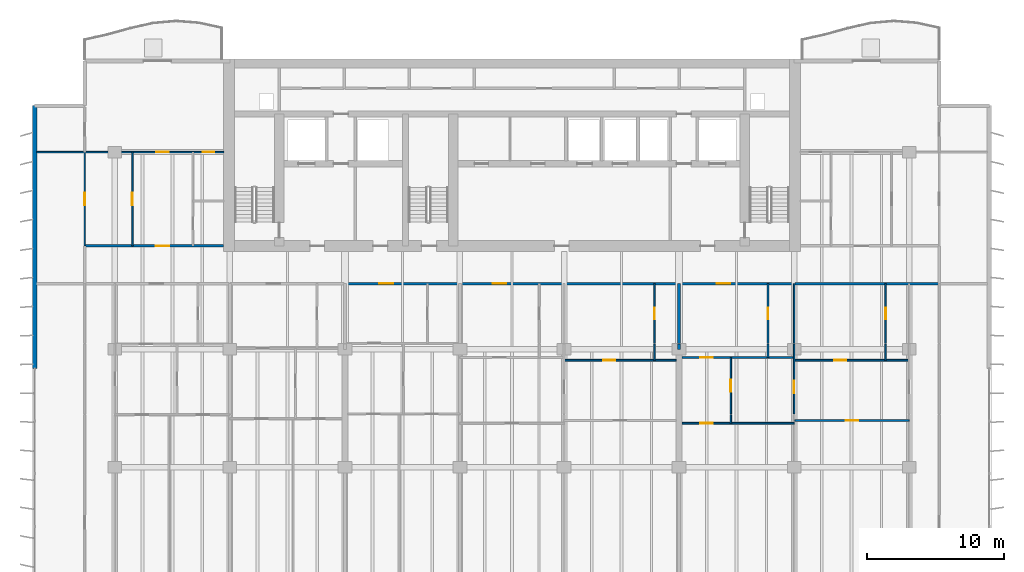
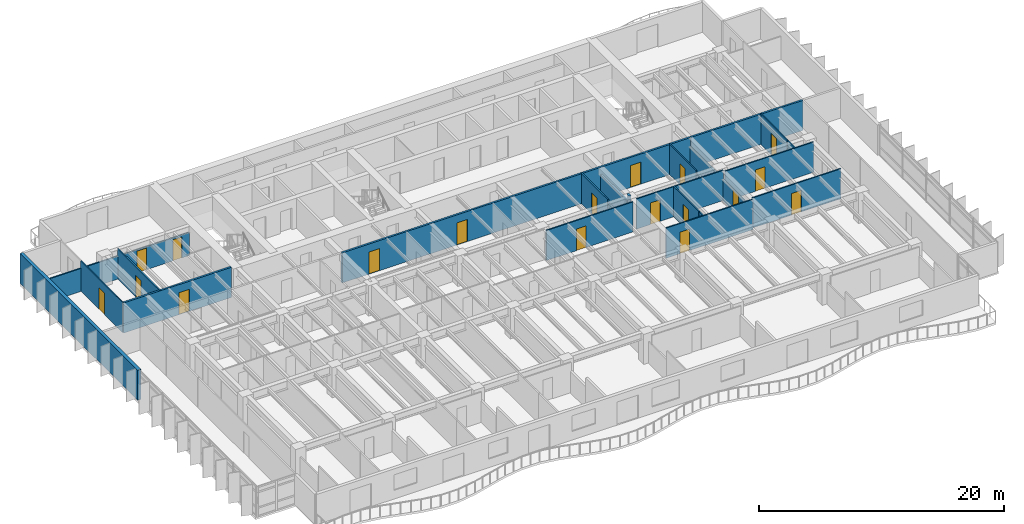
# One storey, part 9 of 16: 24 walls, 18 doors, 18 openings.
"""IFC4 building model written with IfcOpenShell, lengths in metres."""

from ifc_helpers import new_model, si_unit, direction, frame, frame_2d, origin, place, context, subcontext, project, spatial, rectangle, extrude, material, layer, layer_set, type_object, element, fill, save


model = new_model("IFC4")

# Units and contexts
model_context = context("Model", 3, precision=1e-05, world=origin(), true_north=direction((0.0, 1.0)))
body_context = subcontext(model_context, "Body", "Model", "MODEL_VIEW")
ifc_project = project(units=[si_unit("LENGTHUNIT", "METRE"), si_unit("AREAUNIT", "SQUARE_METRE"), si_unit("VOLUMEUNIT", "CUBIC_METRE"), si_unit("PLANEANGLEUNIT", "RADIAN"), si_unit("MASSUNIT", "GRAM", prefix="KILO")], contexts=[model_context])

# Site, building, storey
site_placement = place(None, origin())
site = spatial("IfcSite", under=ifc_project, at=site_placement, CompositionType="ELEMENT")
building_placement = place(site_placement, origin())
building = spatial("IfcBuilding", under=site, at=building_placement, Name="Caelmar Bay Residences", CompositionType="ELEMENT")
storey_placement = place(building_placement, frame((0.0, 0.0, 148.800048828125)))
storey = spatial("IfcBuildingStorey", under=building, at=storey_placement, Name="L41", CompositionType="ELEMENT", Elevation=148.800048828125)

# Wall, openings, doors
ifc_material_1 = material(Name="Double-stud acoustic fire-rated gypsum partition 180 mm")
ifc_layer_1 = layer(ifc_material_1, 0.179931640625)
ifc_layer_set_1 = layer_set([ifc_layer_1], Name="Double-stud acoustic fire-rated gypsum partition 180 mm")
wall_type_1 = type_object("IfcWallType", Name="W-COR-200", PredefinedType="PARTITIONING", material=ifc_layer_set_1)
wall_1_placement = place(storey_placement, frame((26.699951171875, 34.199951171875, 0.0), z_axis=(0.0, 0.0, 1.0), x_axis=(1.0, 0.0, 0.0)))
wall_1 = element("IfcWall", 1, at=wall_1_placement, inside=storey, type_object=wall_type_1, Name="L41 Partition Wall H112", PredefinedType="PARTITIONING", context=body_context, shape_type="SweptSolid", body=[
    extrude(rectangle(XDim=32.800048828125, YDim=0.179931640625, at=frame_2d((16.39990234375, 0.0))), origin(), (0.0, 0.0, 1.0), 3.0),
])
opening_1_placement = place(wall_1_placement, frame((2.51904296875, 0.0, 0.0)))
opening_1 = element("IfcOpeningElement", 2, at=opening_1_placement, cuts=wall_1, Name="Opening D-L41-139", PredefinedType="OPENING", context=body_context, shape_type="SweptSolid", body=[
    extrude(rectangle(XDim=1.0, YDim=2.199951171875, at=frame_2d((0.5, 1.10009765625))), frame((0.0, 0.099853515625, 0.0), z_axis=(0.0, -1.0, 0.0), x_axis=(1.0, 0.0, 0.0)), (0.0, 0.0, 1.0), 0.199951171875),
])
opening_2_placement = place(wall_1_placement, frame((10.79248046875, 0.0, 0.0)))
opening_2 = element("IfcOpeningElement", 3, at=opening_2_placement, cuts=wall_1, Name="Opening D-L41-146", PredefinedType="OPENING", context=body_context, shape_type="SweptSolid", body=[
    extrude(rectangle(XDim=1.0, YDim=2.199951171875, at=frame_2d((0.5, 1.10009765625))), frame((0.0, 0.099853515625, 0.0), z_axis=(0.0, -1.0, 0.0), x_axis=(1.0, 0.0, 0.0)), (0.0, 0.0, 1.0), 0.199951171875),
])
opening_3_placement = place(wall_1_placement, frame((27.146484375, 0.0, 0.0)))
opening_3 = element("IfcOpeningElement", 4, at=opening_3_placement, cuts=wall_1, Name="Opening D-L41-155", PredefinedType="OPENING", context=body_context, shape_type="SweptSolid", body=[
    extrude(rectangle(XDim=1.0, YDim=2.199951171875, at=frame_2d((0.5, 1.10009765625))), frame((0.0, 0.099853515625, 0.0), z_axis=(0.0, -1.0, 0.0), x_axis=(1.0, 0.0, 0.0)), (0.0, 0.0, 1.0), 0.199951171875),
])
ifc_material_2 = material(Name="Fire-rated steel and walnut architectural door assembly", Category="steel")
ifc_layer_2 = layer(ifc_material_2, 0.050048828125)
ifc_layer_set_2 = layer_set([ifc_layer_2], Name="Fire-rated steel and walnut architectural door assembly")
door_type_1 = type_object("IfcDoorType", Name="D-UNIT-1000", OperationType="NOTDEFINED", PredefinedType="DOOR", material=ifc_layer_set_2)
door_1_placement = place(opening_1_placement, origin())
door_1 = element("IfcDoor", 5, at=door_1_placement, inside=storey, type_object=door_type_1, Name="L41 Residence 03 Apartment Hall Door", OperationType="SINGLE_SWING_RIGHT", OverallHeight=2.199951171875, OverallWidth=1.0, PredefinedType="DOOR", context=body_context, shape_type="SweptSolid", body=[
    extrude(rectangle(XDim=1.0, YDim=2.199951171875, at=frame_2d((0.5, 1.10009765625))), frame((0.0, 0.02490234375, 0.0), z_axis=(0.0, -1.0, 0.0), x_axis=(1.0, 0.0, 0.0)), (0.0, 0.0, 1.0), 0.050048828125),
])
fill(opening_1, door_1)
door_2_placement = place(opening_2_placement, origin())
door_2 = element("IfcDoor", 6, at=door_2_placement, inside=storey, type_object=door_type_1, Name="L41 Residence 04 Apartment Hall Door", OperationType="SINGLE_SWING_LEFT", OverallHeight=2.199951171875, OverallWidth=1.0, PredefinedType="DOOR", context=body_context, shape_type="SweptSolid", body=[
    extrude(rectangle(XDim=1.0, YDim=2.199951171875, at=frame_2d((0.5, 1.10009765625))), frame((0.0, 0.02490234375, 0.0), z_axis=(0.0, -1.0, 0.0), x_axis=(1.0, 0.0, 0.0)), (0.0, 0.0, 1.0), 0.050048828125),
])
fill(opening_2, door_2)
door_3_placement = place(opening_3_placement, origin())
door_3 = element("IfcDoor", 7, at=door_3_placement, inside=storey, type_object=door_type_1, Name="L41 Residence 05 Apartment Hall Door", OperationType="SINGLE_SWING_RIGHT", OverallHeight=2.199951171875, OverallWidth=1.0, PredefinedType="DOOR", context=body_context, shape_type="SweptSolid", body=[
    extrude(rectangle(XDim=1.0, YDim=2.199951171875, at=frame_2d((0.5, 1.10009765625))), frame((0.0, 0.02490234375, 0.0), z_axis=(0.0, -1.0, 0.0), x_axis=(1.0, 0.0, 0.0)), (0.0, 0.0, 1.0), 0.050048828125),
])
fill(opening_3, door_3)

# Wall
wall_2_placement = place(storey_placement, frame((59.550048828125, 34.199951171875, 0.0), z_axis=(0.0, 0.0, 1.0), x_axis=(1.0, 0.0, 0.0)))
element("IfcWall", 8, at=wall_2_placement, inside=storey, type_object=wall_type_1, Name="L41 Partition Wall H113", PredefinedType="PARTITIONING", context=body_context, shape_type="SweptSolid", body=[
    extrude(rectangle(XDim=10.550048828125, YDim=0.179931640625, at=frame_2d((5.27490234375, 0.0))), origin(), (0.0, 0.0, 1.0), 3.0),
])

# Wall, opening, door
wall_3_placement = place(storey_placement, frame((7.699951171875, 36.949951171875, 0.0), z_axis=(0.0, 0.0, 1.0), x_axis=(1.0, 0.0, 0.0)))
wall_3 = element("IfcWall", 9, at=wall_3_placement, inside=storey, type_object=wall_type_1, Name="L41 Partition Wall H115", PredefinedType="PARTITIONING", context=body_context, shape_type="SweptSolid", body=[
    extrude(rectangle(XDim=10.14501953125, YDim=0.179931640625, at=frame_2d((5.072509765625, 0.0))), origin(), (0.0, 0.0, 1.0), 3.0),
])
opening_4_placement = place(wall_3_placement, frame((5.18798828125, 0.0, 0.0)))
opening_4 = element("IfcOpeningElement", 10, at=opening_4_placement, cuts=wall_3, Name="Opening D-L41-169", PredefinedType="OPENING", context=body_context, shape_type="SweptSolid", body=[
    extrude(rectangle(XDim=1.0, YDim=2.199951171875, at=frame_2d((0.5, 1.10009765625))), frame((0.0, 0.099853515625, 0.0), z_axis=(0.0, -1.0, 0.0), x_axis=(1.0, 0.0, 0.0)), (0.0, 0.0, 1.0), 0.199951171875),
])
door_4_placement = place(opening_4_placement, origin())
door_4 = element("IfcDoor", 11, at=door_4_placement, inside=storey, type_object=door_type_1, Name="L41 Residence WA Kitchen Door", OperationType="SINGLE_SWING_RIGHT", OverallHeight=2.199951171875, OverallWidth=1.0, PredefinedType="DOOR", context=body_context, shape_type="SweptSolid", body=[
    extrude(rectangle(XDim=1.0, YDim=2.199951171875, at=frame_2d((0.5, 1.10009765625))), frame((0.0, 0.02490234375, 0.0), z_axis=(0.0, -1.0, 0.0), x_axis=(1.0, 0.0, 0.0)), (0.0, 0.0, 1.0), 0.050048828125),
])
fill(opening_4, door_4)

# Wall
ifc_material_3 = material(Name="Precast concrete f'c 40 MPa (6,000 psi)", Category="concrete")
ifc_layer_3 = layer(ifc_material_3, 0.300048828125)
ifc_layer_set_3 = layer_set([ifc_layer_3], Name="Precast concrete f'c 40 MPa (6,000 psi)")
wall_type_2 = type_object("IfcWallType", Name="W-EXT-300", PredefinedType="STANDARD", material=ifc_layer_set_3)
wall_4_placement = place(storey_placement, frame((4.050048828125, 28.0, 0.0), z_axis=(0.0, 0.0, 1.0), x_axis=(0.0, 1.0, 0.0)))
element("IfcWall", 12, at=wall_4_placement, inside=storey, type_object=wall_type_2, Name="L41 West Rear Exterior Wall", PredefinedType="STANDARD", context=body_context, shape_type="SweptSolid", body=[
    extrude(rectangle(XDim=19.199951171875, YDim=0.300048828125, at=frame_2d((9.60009765625, 0.0))), origin(), (0.0, 0.0, 1.0), 3.0),
])

# Wall, opening, door
ifc_material_4 = material(Name="Anodised bronze framed acoustic sliding study partition 100 mm")
ifc_layer_4 = layer(ifc_material_4, 0.10009765625)
ifc_layer_set_4 = layer_set([ifc_layer_4], Name="Anodised bronze framed acoustic sliding study partition 100 mm")
wall_type_3 = type_object("IfcWallType", Name="W-MOV-100", PredefinedType="MOVABLE", material=ifc_layer_set_4)
wall_5_placement = place(storey_placement, frame((7.699951171875, 36.955078125, 0.0), z_axis=(0.0, 0.0, 1.0), x_axis=(0.0, 1.0, 0.0)))
wall_5 = element("IfcWall", 13, at=wall_5_placement, inside=storey, type_object=wall_type_3, Name="L41 Partition Wall V005", PredefinedType="MOVABLE", context=body_context, shape_type="SweptSolid", body=[
    extrude(rectangle(XDim=6.844970703125, YDim=0.10009765625, at=frame_2d((3.42236328125, 0.0))), origin(), (0.0, 0.0, 1.0), 3.0),
])
opening_5_placement = place(wall_5_placement, frame((2.972412109375, 0.0, 0.0)))
opening_5 = element("IfcOpeningElement", 14, at=opening_5_placement, cuts=wall_5, Name="Opening D-L41-173", PredefinedType="OPENING", context=body_context, shape_type="SweptSolid", body=[
    extrude(rectangle(XDim=0.89990234375, YDim=2.14990234375, at=frame_2d((0.449951171875, 1.074951171875))), frame((0.0, 0.06005859375, 0.0), z_axis=(0.0, -1.0, 0.0), x_axis=(1.0, 0.0, 0.0)), (0.0, 0.0, 1.0), 0.1201171875),
])
ifc_material_5 = material(Name="Solid walnut timber interior door leaf and frame", Category="wood")
ifc_layer_5 = layer(ifc_material_5, 0.050048828125)
ifc_layer_set_5 = layer_set([ifc_layer_5], Name="Solid walnut timber interior door leaf and frame")
door_type_2 = type_object("IfcDoorType", Name="D-ROOM-900", OperationType="NOTDEFINED", PredefinedType="DOOR", material=ifc_layer_set_5)
door_5_placement = place(opening_5_placement, origin())
door_5 = element("IfcDoor", 15, at=door_5_placement, inside=storey, type_object=door_type_2, Name="L41 Residence WA Sun Study Door", OperationType="SINGLE_SWING_RIGHT", OverallHeight=2.14990234375, OverallWidth=0.89990234375, PredefinedType="DOOR", context=body_context, shape_type="SweptSolid", body=[
    extrude(rectangle(XDim=0.89990234375, YDim=2.14990234375, at=frame_2d((0.449951171875, 1.074951171875))), frame((0.0, 0.02490234375, 0.0), z_axis=(0.0, -1.0, 0.0), x_axis=(1.0, 0.0, 0.0)), (0.0, 0.0, 1.0), 0.050048828125),
])
fill(opening_5, door_5)

ifc_material_6 = material(Name="Acoustic metal-stud gypsum partition 120 mm")
ifc_layer_6 = layer(ifc_material_6, 0.1201171875)
ifc_layer_set_6 = layer_set([ifc_layer_6], Name="Acoustic metal-stud gypsum partition 120 mm")
wall_type_4 = type_object("IfcWallType", Name="W-PRT-120", PredefinedType="PARTITIONING", material=ifc_layer_set_6)
wall_6_placement = place(storey_placement, frame((11.176025390625, 36.949951171875, 0.0), z_axis=(0.0, 0.0, 1.0), x_axis=(0.0, 1.0, 0.0)))
wall_6 = element("IfcWall", 16, at=wall_6_placement, inside=storey, type_object=wall_type_4, Name="L41 Partition Wall V011", PredefinedType="PARTITIONING", context=body_context, shape_type="SweptSolid", body=[
    extrude(rectangle(XDim=6.85009765625, YDim=0.1201171875, at=frame_2d((3.425048828125, 0.0))), origin(), (0.0, 0.0, 1.0), 3.0),
])
opening_6_placement = place(wall_6_placement, frame((2.97509765625, 0.0, 0.0)))
opening_6 = element("IfcOpeningElement", 17, at=opening_6_placement, cuts=wall_6, Name="Opening D-L41-168", PredefinedType="OPENING", context=body_context, shape_type="SweptSolid", body=[
    extrude(rectangle(XDim=0.89990234375, YDim=2.14990234375, at=frame_2d((0.449951171875, 1.074951171875))), frame((0.0, 0.070068359375, 0.0), z_axis=(0.0, -1.0, 0.0), x_axis=(1.0, 0.0, 0.0)), (0.0, 0.0, 1.0), 0.14013671875),
])
door_6_placement = place(opening_6_placement, origin())
door_6 = element("IfcDoor", 18, at=door_6_placement, inside=storey, type_object=door_type_2, Name="L41 Residence WA Dining Room Door", OperationType="SINGLE_SWING_LEFT", OverallHeight=2.14990234375, OverallWidth=0.89990234375, PredefinedType="DOOR", context=body_context, shape_type="SweptSolid", body=[
    extrude(rectangle(XDim=0.89990234375, YDim=2.14990234375, at=frame_2d((0.449951171875, 1.074951171875))), frame((0.0, 0.02490234375, 0.0), z_axis=(0.0, -1.0, 0.0), x_axis=(1.0, 0.0, 0.0)), (0.0, 0.0, 1.0), 0.050048828125),
])
fill(opening_6, door_6)

# Wall
wall_7_placement = place(storey_placement, frame((49.2958984375, 28.60009765625, 0.0), z_axis=(0.0, 0.0, 1.0), x_axis=(0.0, 1.0, 0.0)))
element("IfcWall", 19, at=wall_7_placement, inside=storey, type_object=wall_type_4, Name="L41 Partition Wall V057", PredefinedType="PARTITIONING", context=body_context, shape_type="SweptSolid", body=[
    extrude(rectangle(XDim=1.179931640625, YDim=0.1201171875, at=frame_2d((0.58984375, 0.0))), origin(), (0.0, 0.0, 1.0), 2.62890625),
])

# Wall, opening, door
wall_8_placement = place(storey_placement, frame((49.2958984375, 29.840087890625, 0.0), z_axis=(0.0, 0.0, 1.0), x_axis=(0.0, 1.0, 0.0)))
wall_8 = element("IfcWall", 20, at=wall_8_placement, inside=storey, type_object=wall_type_4, Name="L41 Partition Wall V058", PredefinedType="PARTITIONING", context=body_context, shape_type="SweptSolid", body=[
    extrude(rectangle(XDim=4.35986328125, YDim=0.1201171875, at=frame_2d((2.179931640625, 0.0))), origin(), (0.0, 0.0, 1.0), 3.0),
])
opening_7_placement = place(wall_8_placement, frame((1.7548828125, 0.0, 0.0)))
opening_7 = element("IfcOpeningElement", 21, at=opening_7_placement, cuts=wall_8, Name="Opening D-L41-152", PredefinedType="OPENING", context=body_context, shape_type="SweptSolid", body=[
    extrude(rectangle(XDim=0.85009765625, YDim=2.10009765625, at=frame_2d((0.425048828125, 1.050048828125))), frame((0.0, 0.070068359375, 0.0), z_axis=(0.0, -1.0, 0.0), x_axis=(1.0, 0.0, 0.0)), (0.0, 0.0, 1.0), 0.14013671875),
])
ifc_layer_7 = layer(ifc_material_5, 0.050048828125)
ifc_layer_set_7 = layer_set([ifc_layer_7], Name="Solid walnut timber interior door leaf and frame")
door_type_3 = type_object("IfcDoorType", Name="D-BATH-850", OperationType="NOTDEFINED", PredefinedType="DOOR", material=ifc_layer_set_7)
door_7_placement = place(opening_7_placement, origin())
door_7 = element("IfcDoor", 22, at=door_7_placement, inside=storey, type_object=door_type_3, Name="L41 Residence 04 En-Suite Bathroom 1 Door", OperationType="SINGLE_SWING_LEFT", OverallHeight=2.10009765625, OverallWidth=0.85009765625, PredefinedType="DOOR", context=body_context, shape_type="SweptSolid", body=[
    extrude(rectangle(XDim=0.85009765625, YDim=2.10009765625, at=frame_2d((0.425048828125, 1.050048828125))), frame((0.0, 0.02490234375, 0.0), z_axis=(0.0, -1.0, 0.0), x_axis=(1.0, 0.0, 0.0)), (0.0, 0.0, 1.0), 0.050048828125),
])
fill(opening_7, door_7)

# Wall
wall_9_placement = place(storey_placement, frame((54.8798828125, 24.0, 0.0), z_axis=(0.0, 0.0, 1.0), x_axis=(0.0, 1.0, 0.0)))
element("IfcWall", 23, at=wall_9_placement, inside=storey, type_object=wall_type_4, Name="L41 Partition Wall V067", PredefinedType="PARTITIONING", context=body_context, shape_type="SweptSolid", body=[
    extrude(rectangle(XDim=0.6298828125, YDim=0.1201171875, at=frame_2d((0.31494140625, 0.0))), origin(), (0.0, 0.0, 1.0), 3.0),
])

# Wall, opening, door
wall_10_placement = place(storey_placement, frame((54.8798828125, 24.68994140625, 0.0), z_axis=(0.0, 0.0, 1.0), x_axis=(0.0, 1.0, 0.0)))
wall_10 = element("IfcWall", 24, at=wall_10_placement, inside=storey, type_object=wall_type_4, Name="L41 Partition Wall V068", PredefinedType="PARTITIONING", context=body_context, shape_type="SweptSolid", body=[
    extrude(rectangle(XDim=4.110107421875, YDim=0.1201171875, at=frame_2d((2.05517578125, 0.0))), origin(), (0.0, 0.0, 1.0), 3.0),
])
opening_8_placement = place(wall_10_placement, frame((1.60498046875, 0.0, 0.0)))
opening_8 = element("IfcOpeningElement", 25, at=opening_8_placement, cuts=wall_10, Name="Opening D-L41-158", PredefinedType="OPENING", context=body_context, shape_type="SweptSolid", body=[
    extrude(rectangle(XDim=0.89990234375, YDim=2.14990234375, at=frame_2d((0.449951171875, 1.074951171875))), frame((0.0, 0.070068359375, 0.0), z_axis=(0.0, -1.0, 0.0), x_axis=(1.0, 0.0, 0.0)), (0.0, 0.0, 1.0), 0.14013671875),
])
door_8_placement = place(opening_8_placement, origin())
door_8 = element("IfcDoor", 26, at=door_8_placement, inside=storey, type_object=door_type_2, Name="L41 Residence 05 Kitchen Door", OperationType="SINGLE_SWING_LEFT", OverallHeight=2.14990234375, OverallWidth=0.89990234375, PredefinedType="DOOR", context=body_context, shape_type="SweptSolid", body=[
    extrude(rectangle(XDim=0.89990234375, YDim=2.14990234375, at=frame_2d((0.449951171875, 1.074951171875))), frame((0.0, 0.02490234375, 0.0), z_axis=(0.0, -1.0, 0.0), x_axis=(1.0, 0.0, 0.0)), (0.0, 0.0, 1.0), 0.050048828125),
])
fill(opening_8, door_8)

# Wall
wall_11_placement = place(storey_placement, frame((57.593017578125, 28.800048828125, 0.0), z_axis=(0.0, 0.0, 1.0), x_axis=(0.0, 1.0, 0.0)))
element("IfcWall", 27, at=wall_11_placement, inside=storey, type_object=wall_type_4, Name="L41 Partition Wall V070", PredefinedType="PARTITIONING", context=body_context, shape_type="SweptSolid", body=[
    extrude(rectangle(XDim=0.97998046875, YDim=0.1201171875, at=frame_2d((0.489990234375, 0.0))), origin(), (0.0, 0.0, 1.0), 2.62890625),
])

# Wall, opening, door
wall_12_placement = place(storey_placement, frame((57.593017578125, 29.840087890625, 0.0), z_axis=(0.0, 0.0, 1.0), x_axis=(0.0, 1.0, 0.0)))
wall_12 = element("IfcWall", 28, at=wall_12_placement, inside=storey, type_object=wall_type_4, Name="L41 Partition Wall V071", PredefinedType="PARTITIONING", context=body_context, shape_type="SweptSolid", body=[
    extrude(rectangle(XDim=4.35986328125, YDim=0.1201171875, at=frame_2d((2.179931640625, 0.0))), origin(), (0.0, 0.0, 1.0), 3.0),
])
opening_9_placement = place(wall_12_placement, frame((1.7548828125, 0.0, 0.0)))
opening_9 = element("IfcOpeningElement", 29, at=opening_9_placement, cuts=wall_12, Name="Opening D-L41-156", PredefinedType="OPENING", context=body_context, shape_type="SweptSolid", body=[
    extrude(rectangle(XDim=0.85009765625, YDim=2.10009765625, at=frame_2d((0.425048828125, 1.050048828125))), frame((0.0, 0.070068359375, 0.0), z_axis=(0.0, -1.0, 0.0), x_axis=(1.0, 0.0, 0.0)), (0.0, 0.0, 1.0), 0.14013671875),
])
door_9_placement = place(opening_9_placement, origin())
door_9 = element("IfcDoor", 30, at=door_9_placement, inside=storey, type_object=door_type_3, Name="L41 Residence 05 Guest Bathroom Door", OperationType="SINGLE_SWING_LEFT", OverallHeight=2.10009765625, OverallWidth=0.85009765625, PredefinedType="DOOR", context=body_context, shape_type="SweptSolid", body=[
    extrude(rectangle(XDim=0.85009765625, YDim=2.10009765625, at=frame_2d((0.425048828125, 1.050048828125))), frame((0.0, 0.02490234375, 0.0), z_axis=(0.0, -1.0, 0.0), x_axis=(1.0, 0.0, 0.0)), (0.0, 0.0, 1.0), 0.050048828125),
])
fill(opening_9, door_9)

wall_13_placement = place(storey_placement, frame((59.5, 24.68994140625, 0.0), z_axis=(0.0, 0.0, 1.0), x_axis=(0.0, 1.0, 0.0)))
wall_13 = element("IfcWall", 31, at=wall_13_placement, inside=storey, type_object=wall_type_4, Name="L41 Partition Wall V074", PredefinedType="PARTITIONING", context=body_context, shape_type="SweptSolid", body=[
    extrude(rectangle(XDim=5.090087890625, YDim=0.1201171875, at=frame_2d((2.544921875, 0.0))), origin(), (0.0, 0.0, 1.0), 2.1240234375),
])
opening_10_placement = place(wall_13_placement, frame((1.5048828125, 0.0, 0.0)))
opening_10 = element("IfcOpeningElement", 32, at=opening_10_placement, cuts=wall_13, Name="Opening D-L41-160", PredefinedType="OPENING", context=body_context, shape_type="SweptSolid", body=[
    extrude(rectangle(XDim=0.89990234375, YDim=2.073974609375, at=frame_2d((0.449951171875, 1.037109375))), frame((0.0, 0.070068359375, 0.0), z_axis=(0.0, -1.0, 0.0), x_axis=(1.0, 0.0, 0.0)), (0.0, 0.0, 1.0), 0.14013671875),
])
door_10_placement = place(opening_10_placement, origin())
door_10 = element("IfcDoor", 33, at=door_10_placement, inside=storey, type_object=door_type_2, Name="L41 Residence 05 Atelier Office 1 Door", OperationType="SINGLE_SWING_LEFT", OverallHeight=2.073974609375, OverallWidth=0.89990234375, PredefinedType="DOOR", context=body_context, shape_type="SweptSolid", body=[
    extrude(rectangle(XDim=0.89990234375, YDim=2.073974609375, at=frame_2d((0.449951171875, 1.037109375))), frame((0.0, 0.02490234375, 0.0), z_axis=(0.0, -1.0, 0.0), x_axis=(1.0, 0.0, 0.0)), (0.0, 0.0, 1.0), 0.050048828125),
])
fill(opening_10, door_10)

# Walls
wall_14_placement = place(storey_placement, frame((59.5, 29.840087890625, 0.0), z_axis=(0.0, 0.0, 1.0), x_axis=(0.0, 1.0, 0.0)))
element("IfcWall", 34, at=wall_14_placement, inside=storey, type_object=wall_type_4, Name="L41 Partition Wall V075", PredefinedType="PARTITIONING", context=body_context, shape_type="SweptSolid", body=[
    extrude(rectangle(XDim=4.35986328125, YDim=0.1201171875, at=frame_2d((2.179931640625, 0.0))), origin(), (0.0, 0.0, 1.0), 2.1240234375),
])
wall_15_placement = place(storey_placement, frame((66.18603515625, 28.60009765625, 0.0), z_axis=(0.0, 0.0, 1.0), x_axis=(0.0, 1.0, 0.0)))
element("IfcWall", 35, at=wall_15_placement, inside=storey, type_object=wall_type_4, Name="L41 Partition Wall V077", PredefinedType="PARTITIONING", context=body_context, shape_type="SweptSolid", body=[
    extrude(rectangle(XDim=1.179931640625, YDim=0.1201171875, at=frame_2d((0.58984375, 0.0))), origin(), (0.0, 0.0, 1.0), 3.0),
])

# Wall, opening, door
wall_16_placement = place(storey_placement, frame((66.18603515625, 29.840087890625, 0.0), z_axis=(0.0, 0.0, 1.0), x_axis=(0.0, 1.0, 0.0)))
wall_16 = element("IfcWall", 36, at=wall_16_placement, inside=storey, type_object=wall_type_4, Name="L41 Partition Wall V078", PredefinedType="PARTITIONING", context=body_context, shape_type="SweptSolid", body=[
    extrude(rectangle(XDim=4.35986328125, YDim=0.1201171875, at=frame_2d((2.179931640625, 0.0))), origin(), (0.0, 0.0, 1.0), 3.0),
])
opening_11_placement = place(wall_16_placement, frame((1.7548828125, 0.0, 0.0)))
opening_11 = element("IfcOpeningElement", 37, at=opening_11_placement, cuts=wall_16, Name="Opening D-L41-162", PredefinedType="OPENING", context=body_context, shape_type="SweptSolid", body=[
    extrude(rectangle(XDim=0.85009765625, YDim=2.10009765625, at=frame_2d((0.425048828125, 1.050048828125))), frame((0.0, 0.070068359375, 0.0), z_axis=(0.0, -1.0, 0.0), x_axis=(1.0, 0.0, 0.0)), (0.0, 0.0, 1.0), 0.14013671875),
])
door_11_placement = place(opening_11_placement, origin())
door_11 = element("IfcDoor", 38, at=door_11_placement, inside=storey, type_object=door_type_3, Name="L41 Residence 05 En-Suite Bathroom 1 Door", OperationType="SINGLE_SWING_LEFT", OverallHeight=2.10009765625, OverallWidth=0.85009765625, PredefinedType="DOOR", context=body_context, shape_type="SweptSolid", body=[
    extrude(rectangle(XDim=0.85009765625, YDim=2.10009765625, at=frame_2d((0.425048828125, 1.050048828125))), frame((0.0, 0.02490234375, 0.0), z_axis=(0.0, -1.0, 0.0), x_axis=(1.0, 0.0, 0.0)), (0.0, 0.0, 1.0), 0.050048828125),
])
fill(opening_11, door_11)

wall_17_placement = place(storey_placement, frame((51.320068359375, 24.0, 0.0), z_axis=(0.0, 0.0, 1.0), x_axis=(1.0, 0.0, 0.0)))
wall_17 = element("IfcWall", 39, at=wall_17_placement, inside=storey, type_object=wall_type_4, Name="L41 Partition Wall H096", PredefinedType="PARTITIONING", context=body_context, shape_type="SweptSolid", body=[
    extrude(rectangle(XDim=8.179931640625, YDim=0.1201171875, at=frame_2d((4.08984375, 0.0))), origin(), (0.0, 0.0, 1.0), 3.0),
])
opening_12_placement = place(wall_17_placement, frame((1.330078125, 0.0, 0.0)))
opening_12 = element("IfcOpeningElement", 40, at=opening_12_placement, cuts=wall_17, Name="Opening D-L41-159", PredefinedType="OPENING", context=body_context, shape_type="SweptSolid", body=[
    extrude(rectangle(XDim=0.89990234375, YDim=2.14990234375, at=frame_2d((0.449951171875, 1.074951171875))), frame((0.0, 0.070068359375, 0.0), z_axis=(0.0, -1.0, 0.0), x_axis=(1.0, 0.0, 0.0)), (0.0, 0.0, 1.0), 0.14013671875),
])
door_12_placement = place(opening_12_placement, origin())
door_12 = element("IfcDoor", 41, at=door_12_placement, inside=storey, type_object=door_type_2, Name="L41 Residence 05 Penthouse Living Salon Door", OperationType="SINGLE_SWING_RIGHT", OverallHeight=2.14990234375, OverallWidth=0.89990234375, PredefinedType="DOOR", context=body_context, shape_type="SweptSolid", body=[
    extrude(rectangle(XDim=0.89990234375, YDim=2.14990234375, at=frame_2d((0.449951171875, 1.074951171875))), frame((0.0, 0.02490234375, 0.0), z_axis=(0.0, -1.0, 0.0), x_axis=(1.0, 0.0, 0.0)), (0.0, 0.0, 1.0), 0.050048828125),
])
fill(opening_12, door_12)

wall_18_placement = place(storey_placement, frame((59.550048828125, 24.199951171875, 0.0), z_axis=(0.0, 0.0, 1.0), x_axis=(1.0, 0.0, 0.0)))
wall_18 = element("IfcWall", 42, at=wall_18_placement, inside=storey, type_object=wall_type_4, Name="L41 Partition Wall H098", PredefinedType="PARTITIONING", context=body_context, shape_type="SweptSolid", body=[
    extrude(rectangle(XDim=8.349853515625, YDim=0.1201171875, at=frame_2d((4.1748046875, 0.0))), origin(), (0.0, 0.0, 1.0), 3.0),
])
opening_13_placement = place(wall_18_placement, frame((3.72509765625, 0.0, 0.0)))
opening_13 = element("IfcOpeningElement", 43, at=opening_13_placement, cuts=wall_18, Name="Opening D-L41-163", PredefinedType="OPENING", context=body_context, shape_type="SweptSolid", body=[
    extrude(rectangle(XDim=0.89990234375, YDim=2.14990234375, at=frame_2d((0.449951171875, 1.074951171875))), frame((0.0, 0.070068359375, 0.0), z_axis=(0.0, -1.0, 0.0), x_axis=(1.0, 0.0, 0.0)), (0.0, 0.0, 1.0), 0.14013671875),
])
door_13_placement = place(opening_13_placement, origin())
door_13 = element("IfcDoor", 44, at=door_13_placement, inside=storey, type_object=door_type_2, Name="L41 Residence 05 Penthouse Sitting Salon 1 Door", OperationType="SINGLE_SWING_RIGHT", OverallHeight=2.14990234375, OverallWidth=0.89990234375, PredefinedType="DOOR", context=body_context, shape_type="SweptSolid", body=[
    extrude(rectangle(XDim=0.89990234375, YDim=2.14990234375, at=frame_2d((0.449951171875, 1.074951171875))), frame((0.0, 0.02490234375, 0.0), z_axis=(0.0, -1.0, 0.0), x_axis=(1.0, 0.0, 0.0)), (0.0, 0.0, 1.0), 0.050048828125),
])
fill(opening_13, door_13)

wall_19_placement = place(storey_placement, frame((42.699951171875, 28.60009765625, 0.0), z_axis=(0.0, 0.0, 1.0), x_axis=(1.0, 0.0, 0.0)))
wall_19 = element("IfcWall", 45, at=wall_19_placement, inside=storey, type_object=wall_type_4, Name="L41 Partition Wall H102", PredefinedType="PARTITIONING", context=body_context, shape_type="SweptSolid", body=[
    extrude(rectangle(XDim=8.179931640625, YDim=0.1201171875, at=frame_2d((4.08984375, 0.0))), origin(), (0.0, 0.0, 1.0), 3.0),
])
opening_14_placement = place(wall_19_placement, frame((2.847900390625, 0.0, 0.0)))
opening_14 = element("IfcOpeningElement", 46, at=opening_14_placement, cuts=wall_19, Name="Opening D-L41-151", PredefinedType="OPENING", context=body_context, shape_type="SweptSolid", body=[
    extrude(rectangle(XDim=0.89990234375, YDim=2.14990234375, at=frame_2d((0.449951171875, 1.074951171875))), frame((0.0, 0.070068359375, 0.0), z_axis=(0.0, -1.0, 0.0), x_axis=(1.0, 0.0, 0.0)), (0.0, 0.0, 1.0), 0.14013671875),
])
door_14_placement = place(opening_14_placement, origin())
door_14 = element("IfcDoor", 47, at=door_14_placement, inside=storey, type_object=door_type_2, Name="L41 Residence 04 Executive Workroom 1 Door", OperationType="SINGLE_SWING_RIGHT", OverallHeight=2.14990234375, OverallWidth=0.89990234375, PredefinedType="DOOR", context=body_context, shape_type="SweptSolid", body=[
    extrude(rectangle(XDim=0.89990234375, YDim=2.14990234375, at=frame_2d((0.449951171875, 1.074951171875))), frame((0.0, 0.02490234375, 0.0), z_axis=(0.0, -1.0, 0.0), x_axis=(1.0, 0.0, 0.0)), (0.0, 0.0, 1.0), 0.050048828125),
])
fill(opening_14, door_14)

wall_20_placement = place(storey_placement, frame((59.550048828125, 28.60009765625, 0.0), z_axis=(0.0, 0.0, 1.0), x_axis=(1.0, 0.0, 0.0)))
wall_20 = element("IfcWall", 48, at=wall_20_placement, inside=storey, type_object=wall_type_4, Name="L41 Partition Wall H103", PredefinedType="PARTITIONING", context=body_context, shape_type="SweptSolid", body=[
    extrude(rectangle(XDim=8.349853515625, YDim=0.1201171875, at=frame_2d((4.1748046875, 0.0))), origin(), (0.0, 0.0, 1.0), 3.0),
])
opening_15_placement = place(wall_20_placement, frame((2.867919921875, 0.0, 0.0)))
opening_15 = element("IfcOpeningElement", 49, at=opening_15_placement, cuts=wall_20, Name="Opening D-L41-161", PredefinedType="OPENING", context=body_context, shape_type="SweptSolid", body=[
    extrude(rectangle(XDim=0.89990234375, YDim=2.14990234375, at=frame_2d((0.449951171875, 1.074951171875))), frame((0.0, 0.070068359375, 0.0), z_axis=(0.0, -1.0, 0.0), x_axis=(1.0, 0.0, 0.0)), (0.0, 0.0, 1.0), 0.14013671875),
])
door_15_placement = place(opening_15_placement, origin())
door_15 = element("IfcDoor", 50, at=door_15_placement, inside=storey, type_object=door_type_2, Name="L41 Residence 05 Executive Workroom 1 Door", OperationType="SINGLE_SWING_RIGHT", OverallHeight=2.14990234375, OverallWidth=0.89990234375, PredefinedType="DOOR", context=body_context, shape_type="SweptSolid", body=[
    extrude(rectangle(XDim=0.89990234375, YDim=2.14990234375, at=frame_2d((0.449951171875, 1.074951171875))), frame((0.0, 0.02490234375, 0.0), z_axis=(0.0, -1.0, 0.0), x_axis=(1.0, 0.0, 0.0)), (0.0, 0.0, 1.0), 0.050048828125),
])
fill(opening_15, door_15)

wall_21_placement = place(storey_placement, frame((51.320068359375, 28.800048828125, 0.0), z_axis=(0.0, 0.0, 1.0), x_axis=(1.0, 0.0, 0.0)))
wall_21 = element("IfcWall", 51, at=wall_21_placement, inside=storey, type_object=wall_type_4, Name="L41 Partition Wall H105", PredefinedType="PARTITIONING", context=body_context, shape_type="SweptSolid", body=[
    extrude(rectangle(XDim=8.179931640625, YDim=0.1201171875, at=frame_2d((4.08984375, 0.0))), origin(), (0.0, 0.0, 1.0), 3.0),
])
opening_16_placement = place(wall_21_placement, frame((1.330078125, 0.0, 0.0)))
opening_16 = element("IfcOpeningElement", 52, at=opening_16_placement, cuts=wall_21, Name="Opening D-L41-157", PredefinedType="OPENING", context=body_context, shape_type="SweptSolid", body=[
    extrude(rectangle(XDim=0.89990234375, YDim=2.14990234375, at=frame_2d((0.449951171875, 1.074951171875))), frame((0.0, 0.070068359375, 0.0), z_axis=(0.0, -1.0, 0.0), x_axis=(1.0, 0.0, 0.0)), (0.0, 0.0, 1.0), 0.14013671875),
])
door_16_placement = place(opening_16_placement, origin())
door_16 = element("IfcDoor", 53, at=door_16_placement, inside=storey, type_object=door_type_2, Name="L41 Residence 05 Dining Room Door", OperationType="SINGLE_SWING_RIGHT", OverallHeight=2.14990234375, OverallWidth=0.89990234375, PredefinedType="DOOR", context=body_context, shape_type="SweptSolid", body=[
    extrude(rectangle(XDim=0.89990234375, YDim=2.14990234375, at=frame_2d((0.449951171875, 1.074951171875))), frame((0.0, 0.02490234375, 0.0), z_axis=(0.0, -1.0, 0.0), x_axis=(1.0, 0.0, 0.0)), (0.0, 0.0, 1.0), 0.050048828125),
])
fill(opening_16, door_16)

# Wall, openings, doors
wall_22_placement = place(storey_placement, frame((4.195068359375, 43.800048828125, 0.0), z_axis=(0.0, 0.0, 1.0), x_axis=(1.0, 0.0, 0.0)))
wall_22 = element("IfcWall", 54, at=wall_22_placement, inside=storey, type_object=wall_type_4, Name="L41 Partition Wall H119", PredefinedType="PARTITIONING", context=body_context, shape_type="SweptSolid", body=[
    extrude(rectangle(XDim=13.659912109375, YDim=0.1201171875, at=frame_2d((6.830078125, 0.0))), origin(), (0.0, 0.0, 1.0), 2.2890625),
])
opening_17_placement = place(wall_22_placement, frame((8.742919921875, 0.0, 0.0)))
opening_17 = element("IfcOpeningElement", 55, at=opening_17_placement, cuts=wall_22, Name="Opening D-L41-170", PredefinedType="OPENING", context=body_context, shape_type="SweptSolid", body=[
    extrude(rectangle(XDim=0.89990234375, YDim=2.14990234375, at=frame_2d((0.449951171875, 1.074951171875))), frame((0.0, 0.070068359375, 0.0), z_axis=(0.0, -1.0, 0.0), x_axis=(1.0, 0.0, 0.0)), (0.0, 0.0, 1.0), 0.14013671875),
])
opening_18_placement = place(wall_22_placement, frame((12.107421875, 0.0, 0.0)))
opening_18 = element("IfcOpeningElement", 56, at=opening_18_placement, cuts=wall_22, Name="Opening D-L41-172", PredefinedType="OPENING", context=body_context, shape_type="SweptSolid", body=[
    extrude(rectangle(XDim=0.85009765625, YDim=2.10009765625, at=frame_2d((0.425048828125, 1.050048828125))), frame((0.0, 0.070068359375, 0.0), z_axis=(0.0, -1.0, 0.0), x_axis=(1.0, 0.0, 0.0)), (0.0, 0.0, 1.0), 0.14013671875),
])
door_17_placement = place(opening_18_placement, origin())
door_17 = element("IfcDoor", 57, at=door_17_placement, inside=storey, type_object=door_type_3, Name="L41 Residence WA Bathroom Door", OperationType="SINGLE_SWING_LEFT", OverallHeight=2.10009765625, OverallWidth=0.85009765625, PredefinedType="DOOR", context=body_context, shape_type="SweptSolid", body=[
    extrude(rectangle(XDim=0.85009765625, YDim=2.10009765625, at=frame_2d((0.425048828125, 1.050048828125))), frame((0.0, 0.02490234375, 0.0), z_axis=(0.0, -1.0, 0.0), x_axis=(1.0, 0.0, 0.0)), (0.0, 0.0, 1.0), 0.050048828125),
])
fill(opening_18, door_17)
door_18_placement = place(opening_17_placement, origin())
door_18 = element("IfcDoor", 58, at=door_18_placement, inside=storey, type_object=door_type_2, Name="L41 Residence WA Studio Living and Sleeping Room Door", OperationType="SINGLE_SWING_LEFT", OverallHeight=2.14990234375, OverallWidth=0.89990234375, PredefinedType="DOOR", context=body_context, shape_type="SweptSolid", body=[
    extrude(rectangle(XDim=0.89990234375, YDim=2.14990234375, at=frame_2d((0.449951171875, 1.074951171875))), frame((0.0, 0.02490234375, 0.0), z_axis=(0.0, -1.0, 0.0), x_axis=(1.0, 0.0, 0.0)), (0.0, 0.0, 1.0), 0.050048828125),
])
fill(opening_17, door_18)

# Walls
ifc_material_7 = material(Name="Acoustic twin-stud fire-rated inter-tenancy partition 200 mm")
ifc_layer_8 = layer(ifc_material_7, 0.199951171875)
ifc_layer_set_8 = layer_set([ifc_layer_8], Name="Acoustic twin-stud fire-rated inter-tenancy partition 200 mm")
wall_type_5 = type_object("IfcWallType", Name="W-PTY-200", PredefinedType="PARTITIONING", material=ifc_layer_set_8)
wall_23_placement = place(storey_placement, frame((51.10009765625, 29.405029296875, 0.0), z_axis=(0.0, 0.0, 1.0), x_axis=(0.0, 1.0, 0.0)))
element("IfcWall", 59, at=wall_23_placement, inside=storey, type_object=wall_type_5, Name="L41 Partition Wall V063", PredefinedType="PARTITIONING", context=body_context, shape_type="SweptSolid", body=[
    extrude(rectangle(XDim=0.375, YDim=0.199951171875, at=frame_2d((0.1875, 0.0))), origin(), (0.0, 0.0, 1.0), 3.0),
])
wall_24_placement = place(storey_placement, frame((51.10009765625, 29.840087890625, 0.0), z_axis=(0.0, 0.0, 1.0), x_axis=(0.0, 1.0, 0.0)))
element("IfcWall", 60, at=wall_24_placement, inside=storey, type_object=wall_type_5, Name="L41 Partition Wall V064", PredefinedType="PARTITIONING", context=body_context, shape_type="SweptSolid", body=[
    extrude(rectangle(XDim=4.35986328125, YDim=0.199951171875, at=frame_2d((2.179931640625, 0.0))), origin(), (0.0, 0.0, 1.0), 2.284912109375),
])

save(model, "model.ifc")
